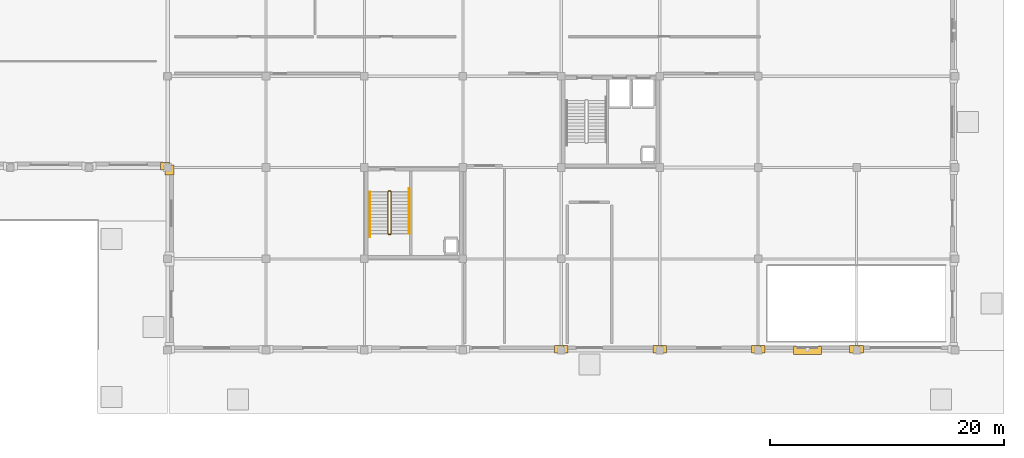
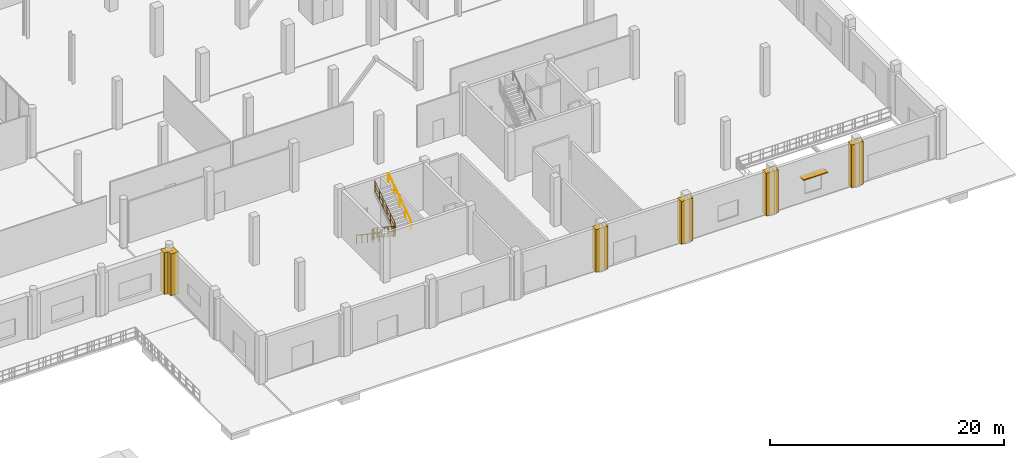
# One storey, part 75 of 80: 10 coverings, 6 railings, 1 shading device.
"""IFC4 building model written with IfcOpenShell, lengths in metres."""

from ifc_helpers import new_model, si_unit, direction, frame, origin, origin_2d, place, context, subcontext, project, spatial, polyline, rectangle, circle, outline, extrude, material, layer, layer_set, type_object, element, save


model = new_model("IFC4")

# Units and contexts
model_context = context("Model", 3, precision=1e-05, world=origin(), true_north=direction((0.0, 1.0)))
body_context = subcontext(model_context, "Body", "Model", "MODEL_VIEW")
ifc_project = project(units=[si_unit("LENGTHUNIT", "METRE"), si_unit("AREAUNIT", "SQUARE_METRE"), si_unit("VOLUMEUNIT", "CUBIC_METRE"), si_unit("PLANEANGLEUNIT", "RADIAN"), si_unit("MASSUNIT", "GRAM", prefix="KILO")], contexts=[model_context])

# Site, building, storey
site_placement = place(None, origin())
site = spatial("IfcSite", under=ifc_project, at=site_placement, CompositionType="ELEMENT")
building_placement = place(site_placement, origin())
building = spatial("IfcBuilding", under=site, at=building_placement, Name="Nabrawat Pavilion Hospital", CompositionType="ELEMENT")
storey_placement = place(building_placement, origin())
storey = spatial("IfcBuildingStorey", under=building, at=storey_placement, Name="L00", CompositionType="ELEMENT", Elevation=0.0)

# Coverings
ifc_material_1 = material(Name="Precast concrete C40/50", Category="concrete")
ifc_layer_1 = layer(ifc_material_1, 0.360107421875, Name="Precast concrete C40/50")
ifc_layer_set_1 = layer_set([ifc_layer_1], Name="Precast concrete C40/50")
covering_type = type_object("IfcCoveringType", Name="Architectural Precast Column-Jamb Closure Reveal", PredefinedType="CLADDING", material=ifc_layer_set_1)
covering_1_placement = place(storey_placement, origin())
element("IfcCovering", 1, at=covering_1_placement, inside=storey, type_object=covering_type, Name="L00 Precast Facade Column-Jamb Weatherseal Closure 0082", PredefinedType="CLADDING", context=body_context, shape_type="SweptSolid", body=[
    extrude(outline(polyline([(126.211181640625, 15.388671875), (126.211181640625, 16.03125), (125.40380859375, 16.03125), (125.40380859375, 15.388671875), (126.211181640625, 15.388671875)])), origin(), (0.0, 0.0, 1.0), 4.35009765625),
])
covering_2_placement = place(storey_placement, origin())
element("IfcCovering", 2, at=covering_2_placement, inside=storey, type_object=covering_type, Name="L00 Precast Facade Column-Jamb Weatherseal Closure 0102", PredefinedType="CLADDING", context=body_context, shape_type="SweptSolid", body=[
    extrude(outline(polyline([(126.55126953125, 14.94873046875), (126.55126953125, 15.811279296875), (125.788818359375, 15.811279296875), (125.788818359375, 14.94873046875), (126.55126953125, 14.94873046875)])), origin(), (0.0, 0.0, 1.0), 4.35009765625),
])
covering_3_placement = place(storey_placement, origin())
element("IfcCovering", 3, at=covering_3_placement, inside=storey, type_object=covering_type, Name="L00 Precast Facade Column-Jamb Weatherseal Closure 0110", PredefinedType="CLADDING", context=body_context, shape_type="SweptSolid", body=[
    extrude(outline(polyline([(159.811279296875, -0.211181640625), (159.811279296875, 0.431396484375), (159.013671875, 0.431396484375), (159.013671875, -0.211181640625), (159.811279296875, -0.211181640625)])), origin(), (0.0, 0.0, 1.0), 4.4599609375),
])
covering_4_placement = place(storey_placement, origin())
element("IfcCovering", 4, at=covering_4_placement, inside=storey, type_object=covering_type, Name="L00 Precast Facade Column-Jamb Weatherseal Closure 0111", PredefinedType="CLADDING", context=body_context, shape_type="SweptSolid", body=[
    extrude(outline(polyline([(160.186279296875, -0.211181640625), (160.186279296875, 0.431396484375), (159.388671875, 0.431396484375), (159.388671875, -0.211181640625), (160.186279296875, -0.211181640625)])), origin(), (0.0, 0.0, 1.0), 4.4599609375),
])
covering_5_placement = place(storey_placement, origin())
element("IfcCovering", 5, at=covering_5_placement, inside=storey, type_object=covering_type, Name="L00 Precast Facade Column-Jamb Weatherseal Closure 0112", PredefinedType="CLADDING", context=body_context, shape_type="SweptSolid", body=[
    extrude(outline(polyline([(168.211181640625, -0.211181640625), (168.211181640625, 0.431396484375), (167.413818359375, 0.431396484375), (167.413818359375, -0.211181640625), (168.211181640625, -0.211181640625)])), origin(), (0.0, 0.0, 1.0), 4.4599609375),
])
covering_6_placement = place(storey_placement, origin())
element("IfcCovering", 6, at=covering_6_placement, inside=storey, type_object=covering_type, Name="L00 Precast Facade Column-Jamb Weatherseal Closure 0113", PredefinedType="CLADDING", context=body_context, shape_type="SweptSolid", body=[
    extrude(outline(polyline([(168.586181640625, -0.211181640625), (168.586181640625, 0.431396484375), (167.788818359375, 0.431396484375), (167.788818359375, -0.211181640625), (168.586181640625, -0.211181640625)])), origin(), (0.0, 0.0, 1.0), 4.4599609375),
])
covering_7_placement = place(storey_placement, origin())
element("IfcCovering", 7, at=covering_7_placement, inside=storey, type_object=covering_type, Name="L00 Precast Facade Column-Jamb Weatherseal Closure 0114", PredefinedType="CLADDING", context=body_context, shape_type="SweptSolid", body=[
    extrude(outline(polyline([(176.611328125, -0.211181640625), (176.611328125, 0.431396484375), (175.813720703125, 0.431396484375), (175.813720703125, -0.211181640625), (176.611328125, -0.211181640625)])), origin(), (0.0, 0.0, 1.0), 4.4599609375),
])
covering_8_placement = place(storey_placement, origin())
element("IfcCovering", 8, at=covering_8_placement, inside=storey, type_object=covering_type, Name="L00 Precast Facade Column-Jamb Weatherseal Closure 0115", PredefinedType="CLADDING", context=body_context, shape_type="SweptSolid", body=[
    extrude(outline(polyline([(176.986328125, -0.211181640625), (176.986328125, 0.431396484375), (176.188720703125, 0.431396484375), (176.188720703125, -0.211181640625), (176.986328125, -0.211181640625)])), origin(), (0.0, 0.0, 1.0), 4.4599609375),
])
covering_9_placement = place(storey_placement, origin())
element("IfcCovering", 9, at=covering_9_placement, inside=storey, type_object=covering_type, Name="L00 Precast Facade Column-Jamb Weatherseal Closure 0116", PredefinedType="CLADDING", context=body_context, shape_type="SweptSolid", body=[
    extrude(outline(polyline([(185.01123046875, -0.211181640625), (185.01123046875, 0.431396484375), (184.2138671875, 0.431396484375), (184.2138671875, -0.211181640625), (185.01123046875, -0.211181640625)])), origin(), (0.0, 0.0, 1.0), 4.4599609375),
])
covering_10_placement = place(storey_placement, origin())
element("IfcCovering", 10, at=covering_10_placement, inside=storey, type_object=covering_type, Name="L00 Precast Facade Column-Jamb Weatherseal Closure 0117", PredefinedType="CLADDING", context=body_context, shape_type="SweptSolid", body=[
    extrude(outline(polyline([(185.38623046875, -0.211181640625), (185.38623046875, 0.431396484375), (184.5888671875, 0.431396484375), (184.5888671875, -0.211181640625), (185.38623046875, -0.211181640625)])), origin(), (0.0, 0.0, 1.0), 4.4599609375),
])

# Railings
ifc_material_2 = material(Name="Stainless Steel 316", Category="steel")
ifc_layer_2 = layer(ifc_material_2, 0.050048828125, Name="Stainless Steel 316")
ifc_layer_set_2 = layer_set([ifc_layer_2], Name="Stainless Steel 316")
railing_type_1 = type_object("IfcRailingType", Name="Stair Open-Well Safety Guardrail 1100", PredefinedType="GUARDRAIL", material=ifc_layer_set_2)
railing_1_placement = place(storey_placement, frame((144.824951171875, 13.530029296875, 0.18212890625)))
element("IfcRailing", 11, at=railing_1_placement, inside=storey, type_object=railing_type_1, Name="L00 ST-08 stair guard 1", PredefinedType="GUARDRAIL", context=body_context, shape_type="SweptSolid", body=[
    extrude(circle(Radius=0.02392578125, at=origin_2d()), frame((0.0, 0.0, 1.076171875), z_axis=(0.0, -0.833702089047, 0.552214475289), x_axis=(1.0, 0.0, 0.0)), (0.0, 0.0, 1.0), 4.2880859375),
    extrude(circle(Radius=0.02392578125, at=origin_2d()), frame((0.0, 0.0, 0.10009765625), z_axis=(0.0, -0.833702089047, 0.552214475289), x_axis=(1.0, 0.0, 0.0)), (0.0, 0.0, 1.0), 4.2880859375),
    extrude(circle(Radius=0.02392578125, at=origin_2d()), frame((0.0, 0.0, 0.60498046875), z_axis=(0.0, -0.833702089047, 0.552214475289), x_axis=(1.0, 0.0, 0.0)), (0.0, 0.0, 1.0), 4.2880859375),
    extrude(circle(Radius=0.008056640625, at=origin_2d()), frame((0.0, -0.19873046875, 0.2314453125)), (0.0, 0.0, 1.0), 0.951904296875),
    extrude(circle(Radius=0.008056640625, at=origin_2d()), frame((0.0, -0.397216796875, 0.363037109375)), (0.0, 0.0, 1.0), 0.951904296875),
    extrude(circle(Radius=0.008056640625, at=origin_2d()), frame((0.0, -0.595703125, 0.49462890625)), (0.0, 0.0, 1.0), 0.951904296875),
    extrude(circle(Radius=0.008056640625, at=origin_2d()), frame((0.0, -0.79443359375, 0.626220703125)), (0.0, 0.0, 1.0), 0.951904296875),
    extrude(circle(Radius=0.008056640625, at=origin_2d()), frame((0.0, -0.9931640625, 0.7578125)), (0.0, 0.0, 1.0), 0.951904296875),
    extrude(circle(Radius=0.008056640625, at=origin_2d()), frame((0.0, -1.191650390625, 0.889404296875)), (0.0, 0.0, 1.0), 0.951904296875),
    extrude(circle(Radius=0.008056640625, at=origin_2d()), frame((0.0, -1.39013671875, 1.020751953125)), (0.0, 0.0, 1.0), 0.951904296875),
    extrude(circle(Radius=0.008056640625, at=origin_2d()), frame((0.0, -1.5888671875, 1.15234375)), (0.0, 0.0, 1.0), 0.951904296875),
    extrude(circle(Radius=0.008056640625, at=origin_2d()), frame((0.0, -1.986083984375, 1.41552734375)), (0.0, 0.0, 1.0), 0.951904296875),
    extrude(circle(Radius=0.008056640625, at=origin_2d()), frame((0.0, -2.1845703125, 1.547119140625)), (0.0, 0.0, 1.0), 0.951904296875),
    extrude(circle(Radius=0.008056640625, at=origin_2d()), frame((0.0, -2.38330078125, 1.6787109375)), (0.0, 0.0, 1.0), 0.951904296875),
    extrude(circle(Radius=0.008056640625, at=origin_2d()), frame((0.0, -2.58203125, 1.81005859375)), (0.0, 0.0, 1.0), 0.951904296875),
    extrude(circle(Radius=0.008056640625, at=origin_2d()), frame((0.0, -2.780517578125, 1.941650390625)), (0.0, 0.0, 1.0), 0.951904296875),
    extrude(circle(Radius=0.008056640625, at=origin_2d()), frame((0.0, -2.97900390625, 2.0732421875)), (0.0, 0.0, 1.0), 0.951904296875),
    extrude(circle(Radius=0.008056640625, at=origin_2d()), frame((0.0, -3.177734375, 2.204833984375)), (0.0, 0.0, 1.0), 0.951904296875),
    extrude(circle(Radius=0.008056640625, at=origin_2d()), frame((0.0, -3.37646484375, 2.33642578125)), (0.0, 0.0, 1.0), 0.951904296875),
    extrude(circle(Radius=0.02099609375, at=origin_2d()), origin(), (0.0, 0.0, 1.0), 1.052001953125),
    extrude(circle(Radius=0.02099609375, at=origin_2d()), frame((0.0, -0.893798828125, 0.592041015625)), (0.0, 0.0, 1.0), 1.052001953125),
    extrude(circle(Radius=0.02099609375, at=origin_2d()), frame((0.0, -1.78759765625, 1.18408203125)), (0.0, 0.0, 1.0), 1.052001953125),
    extrude(circle(Radius=0.02099609375, at=origin_2d()), frame((0.0, -2.68115234375, 1.77587890625)), (0.0, 0.0, 1.0), 1.052001953125),
    extrude(circle(Radius=0.02099609375, at=origin_2d()), frame((0.0, -3.574951171875, 2.367919921875)), (0.0, 0.0, 1.0), 1.052001953125),
])
railing_2_placement = place(storey_placement, frame((144.85009765625, 9.905029296875, 2.550048828125)))
element("IfcRailing", 12, at=railing_2_placement, inside=storey, type_object=railing_type_1, Name="L00 ST-08 stair guard 2", PredefinedType="GUARDRAIL", context=body_context, shape_type="SweptSolid", body=[
    extrude(circle(Radius=0.02392578125, at=origin_2d()), frame((0.0, 0.0, 1.076171875), z_axis=(1.0, 0.0, 0.0), x_axis=(0.0, 1.0, 0.0)), (0.0, 0.0, 1.0), 0.199951171875),
    extrude(circle(Radius=0.02392578125, at=origin_2d()), frame((0.0, 0.0, 0.10009765625), z_axis=(1.0, 0.0, 0.0), x_axis=(0.0, 1.0, 0.0)), (0.0, 0.0, 1.0), 0.199951171875),
    extrude(circle(Radius=0.02392578125, at=origin_2d()), frame((0.0, 0.0, 0.60498046875), z_axis=(1.0, 0.0, 0.0), x_axis=(0.0, 1.0, 0.0)), (0.0, 0.0, 1.0), 0.199951171875),
    extrude(circle(Radius=0.008056640625, at=origin_2d()), frame((0.10009765625, 0.0, 0.10009765625)), (0.0, 0.0, 1.0), 0.951904296875),
    extrude(circle(Radius=0.02099609375, at=origin_2d()), origin(), (0.0, 0.0, 1.0), 1.052001953125),
    extrude(circle(Radius=0.02099609375, at=origin_2d()), frame((0.199951171875, 0.0, 0.0)), (0.0, 0.0, 1.0), 1.052001953125),
])
railing_3_placement = place(storey_placement, frame((145.074951171875, 9.955078125, 2.732177734375)))
element("IfcRailing", 13, at=railing_3_placement, inside=storey, type_object=railing_type_1, Name="L00 ST-08 stair guard 3", PredefinedType="GUARDRAIL", context=body_context, shape_type="SweptSolid", body=[
    extrude(circle(Radius=0.02392578125, at=origin_2d()), frame((0.0, 0.0, 1.076171875), z_axis=(0.0, 0.833702089047, 0.552214475289), x_axis=(-1.0, 0.0, 0.0)), (0.0, 0.0, 1.0), 4.2880859375),
    extrude(circle(Radius=0.02392578125, at=origin_2d()), frame((0.0, 0.0, 0.10009765625), z_axis=(0.0, 0.833702089047, 0.552214475289), x_axis=(-1.0, 0.0, 0.0)), (0.0, 0.0, 1.0), 4.2880859375),
    extrude(circle(Radius=0.02392578125, at=origin_2d()), frame((0.0, 0.0, 0.60498046875), z_axis=(0.0, 0.833702089047, 0.552214475289), x_axis=(-1.0, 0.0, 0.0)), (0.0, 0.0, 1.0), 4.2880859375),
    extrude(circle(Radius=0.008056640625, at=origin_2d()), frame((0.0, 0.19873046875, 0.2314453125)), (0.0, 0.0, 1.0), 0.951904296875),
    extrude(circle(Radius=0.008056640625, at=origin_2d()), frame((0.0, 0.397216796875, 0.363037109375)), (0.0, 0.0, 1.0), 0.951904296875),
    extrude(circle(Radius=0.008056640625, at=origin_2d()), frame((0.0, 0.595703125, 0.49462890625)), (0.0, 0.0, 1.0), 0.951904296875),
    extrude(circle(Radius=0.008056640625, at=origin_2d()), frame((0.0, 0.79443359375, 0.626220703125)), (0.0, 0.0, 1.0), 0.951904296875),
    extrude(circle(Radius=0.008056640625, at=origin_2d()), frame((0.0, 0.9931640625, 0.7578125)), (0.0, 0.0, 1.0), 0.951904296875),
    extrude(circle(Radius=0.008056640625, at=origin_2d()), frame((0.0, 1.191650390625, 0.889404296875)), (0.0, 0.0, 1.0), 0.951904296875),
    extrude(circle(Radius=0.008056640625, at=origin_2d()), frame((0.0, 1.39013671875, 1.020751953125)), (0.0, 0.0, 1.0), 0.951904296875),
    extrude(circle(Radius=0.008056640625, at=origin_2d()), frame((0.0, 1.5888671875, 1.15234375)), (0.0, 0.0, 1.0), 0.951904296875),
    extrude(circle(Radius=0.008056640625, at=origin_2d()), frame((0.0, 1.986083984375, 1.41552734375)), (0.0, 0.0, 1.0), 0.951904296875),
    extrude(circle(Radius=0.008056640625, at=origin_2d()), frame((0.0, 2.1845703125, 1.547119140625)), (0.0, 0.0, 1.0), 0.951904296875),
    extrude(circle(Radius=0.008056640625, at=origin_2d()), frame((0.0, 2.38330078125, 1.6787109375)), (0.0, 0.0, 1.0), 0.951904296875),
    extrude(circle(Radius=0.008056640625, at=origin_2d()), frame((0.0, 2.58203125, 1.81005859375)), (0.0, 0.0, 1.0), 0.951904296875),
    extrude(circle(Radius=0.008056640625, at=origin_2d()), frame((0.0, 2.780517578125, 1.941650390625)), (0.0, 0.0, 1.0), 0.951904296875),
    extrude(circle(Radius=0.008056640625, at=origin_2d()), frame((0.0, 2.97900390625, 2.0732421875)), (0.0, 0.0, 1.0), 0.951904296875),
    extrude(circle(Radius=0.008056640625, at=origin_2d()), frame((0.0, 3.177734375, 2.204833984375)), (0.0, 0.0, 1.0), 0.951904296875),
    extrude(circle(Radius=0.008056640625, at=origin_2d()), frame((0.0, 3.37646484375, 2.33642578125)), (0.0, 0.0, 1.0), 0.951904296875),
    extrude(circle(Radius=0.02099609375, at=origin_2d()), origin(), (0.0, 0.0, 1.0), 1.052001953125),
    extrude(circle(Radius=0.02099609375, at=origin_2d()), frame((0.0, 0.893798828125, 0.592041015625)), (0.0, 0.0, 1.0), 1.052001953125),
    extrude(circle(Radius=0.02099609375, at=origin_2d()), frame((0.0, 1.78759765625, 1.18408203125)), (0.0, 0.0, 1.0), 1.052001953125),
    extrude(circle(Radius=0.02099609375, at=origin_2d()), frame((0.0, 2.68115234375, 1.77587890625)), (0.0, 0.0, 1.0), 1.052001953125),
    extrude(circle(Radius=0.02099609375, at=origin_2d()), frame((0.0, 3.574951171875, 2.367919921875)), (0.0, 0.0, 1.0), 1.052001953125),
])
railing_4_placement = place(storey_placement, frame((144.85009765625, 13.580078125, 0.0)))
element("IfcRailing", 14, at=railing_4_placement, inside=storey, type_object=railing_type_1, Name="L00 ST-08 stair guard 4", PredefinedType="GUARDRAIL", context=body_context, shape_type="SweptSolid", body=[
    extrude(circle(Radius=0.02392578125, at=origin_2d()), frame((0.0, 0.0, 1.076171875), z_axis=(1.0, 0.0, 0.0), x_axis=(0.0, 1.0, 0.0)), (0.0, 0.0, 1.0), 0.199951171875),
    extrude(circle(Radius=0.02392578125, at=origin_2d()), frame((0.0, 0.0, 0.10009765625), z_axis=(1.0, 0.0, 0.0), x_axis=(0.0, 1.0, 0.0)), (0.0, 0.0, 1.0), 0.199951171875),
    extrude(circle(Radius=0.02392578125, at=origin_2d()), frame((0.0, 0.0, 0.60498046875), z_axis=(1.0, 0.0, 0.0), x_axis=(0.0, 1.0, 0.0)), (0.0, 0.0, 1.0), 0.199951171875),
    extrude(circle(Radius=0.008056640625, at=origin_2d()), frame((0.10009765625, 0.0, 0.10009765625)), (0.0, 0.0, 1.0), 0.951904296875),
    extrude(circle(Radius=0.02099609375, at=origin_2d()), origin(), (0.0, 0.0, 1.0), 1.052001953125),
    extrude(circle(Radius=0.02099609375, at=origin_2d()), frame((0.199951171875, 0.0, 0.0)), (0.0, 0.0, 1.0), 1.052001953125),
])
ifc_layer_3 = layer(ifc_material_2, 0.044921875, Name="Stainless Steel 316")
ifc_layer_set_3 = layer_set([ifc_layer_3], Name="Stainless Steel 316")
railing_type_2 = type_object("IfcRailingType", Name="Stair Pitch Continuous Handrail 920", PredefinedType="HANDRAIL", material=ifc_layer_set_3)
railing_5_placement = place(storey_placement, frame((143.27490234375, 13.530029296875, 0.18603515625)))
element("IfcRailing", 15, at=railing_5_placement, inside=storey, type_object=railing_type_2, Name="L00 ST-08 stair handrail 1", PredefinedType="HANDRAIL", context=body_context, shape_type="SweptSolid", body=[
    extrude(circle(Radius=0.02392578125, at=origin_2d()), frame((0.0, 0.0, 0.89599609375), z_axis=(0.0, -0.833713881912, 0.552196670677), x_axis=(1.0, 0.0, 0.0)), (0.0, 0.0, 1.0), 4.617919921875),
    extrude(circle(Radius=0.02099609375, at=origin_2d()), origin(), (0.0, 0.0, 1.0), 0.871826171875),
    extrude(circle(Radius=0.02099609375, at=origin_2d()), frame((0.0, -0.96240234375, 0.637451171875)), (0.0, 0.0, 1.0), 0.871826171875),
    extrude(circle(Radius=0.02099609375, at=origin_2d()), frame((0.0, -1.925048828125, 1.27490234375)), (0.0, 0.0, 1.0), 0.871826171875),
    extrude(circle(Radius=0.02099609375, at=origin_2d()), frame((0.0, -2.8876953125, 1.91259765625)), (0.0, 0.0, 1.0), 0.871826171875),
    extrude(circle(Radius=0.02099609375, at=origin_2d()), frame((0.0, -3.85009765625, 2.550048828125)), (0.0, 0.0, 1.0), 0.871826171875),
])
railing_6_placement = place(storey_placement, frame((146.625, 9.955078125, 2.736083984375)))
element("IfcRailing", 16, at=railing_6_placement, inside=storey, type_object=railing_type_2, Name="L00 ST-08 stair handrail 2", PredefinedType="HANDRAIL", context=body_context, shape_type="SweptSolid", body=[
    extrude(circle(Radius=0.02392578125, at=origin_2d()), frame((0.0, 0.0, 0.89599609375), z_axis=(0.0, 0.833697760554, 0.552221010146), x_axis=(-1.0, 0.0, 0.0)), (0.0, 0.0, 1.0), 4.617919921875),
    extrude(circle(Radius=0.02099609375, at=origin_2d()), origin(), (0.0, 0.0, 1.0), 0.871826171875),
    extrude(circle(Radius=0.02099609375, at=origin_2d()), frame((0.0, 0.96240234375, 0.637451171875)), (0.0, 0.0, 1.0), 0.871826171875),
    extrude(circle(Radius=0.02099609375, at=origin_2d()), frame((0.0, 1.9248046875, 1.27490234375)), (0.0, 0.0, 1.0), 0.871826171875),
    extrude(circle(Radius=0.02099609375, at=origin_2d()), frame((0.0, 2.887451171875, 1.91259765625)), (0.0, 0.0, 1.0), 0.871826171875),
    extrude(circle(Radius=0.02099609375, at=origin_2d()), frame((0.0, 3.849853515625, 2.550048828125)), (0.0, 0.0, 1.0), 0.871826171875),
])

# Shading device
ifc_material_3 = material(Name="Anodised Aluminium", Category="aluminium")
ifc_layer_4 = layer(ifc_material_3, 0.10009765625, Name="Anodised Aluminium")
ifc_layer_set_4 = layer_set([ifc_layer_4], Name="Anodised Aluminium")
shading_device_type = type_object("IfcShadingDeviceType", Name="Window Brow Horizontal Sun-Shading Canopy", PredefinedType="AWNING", material=ifc_layer_set_4)
shading_device_placement = place(storey_placement, frame((180.60009765625, -0.010009765625, 2.5), z_axis=(0.0, 0.0, 1.0), x_axis=(1.0, 0.0, 0.0)))
element("IfcShadingDevice", 17, at=shading_device_placement, inside=storey, type_object=shading_device_type, Name="L00 Window Sun-Shading Brow Canopy 005", PredefinedType="AWNING", context=body_context, shape_type="SweptSolid", body=[
    extrude(rectangle(XDim=2.39990234375, YDim=0.64990234375, at=origin_2d()), origin(), (0.0, 0.0, 1.0), 0.10009765625),
])

save(model, "model.ifc")
